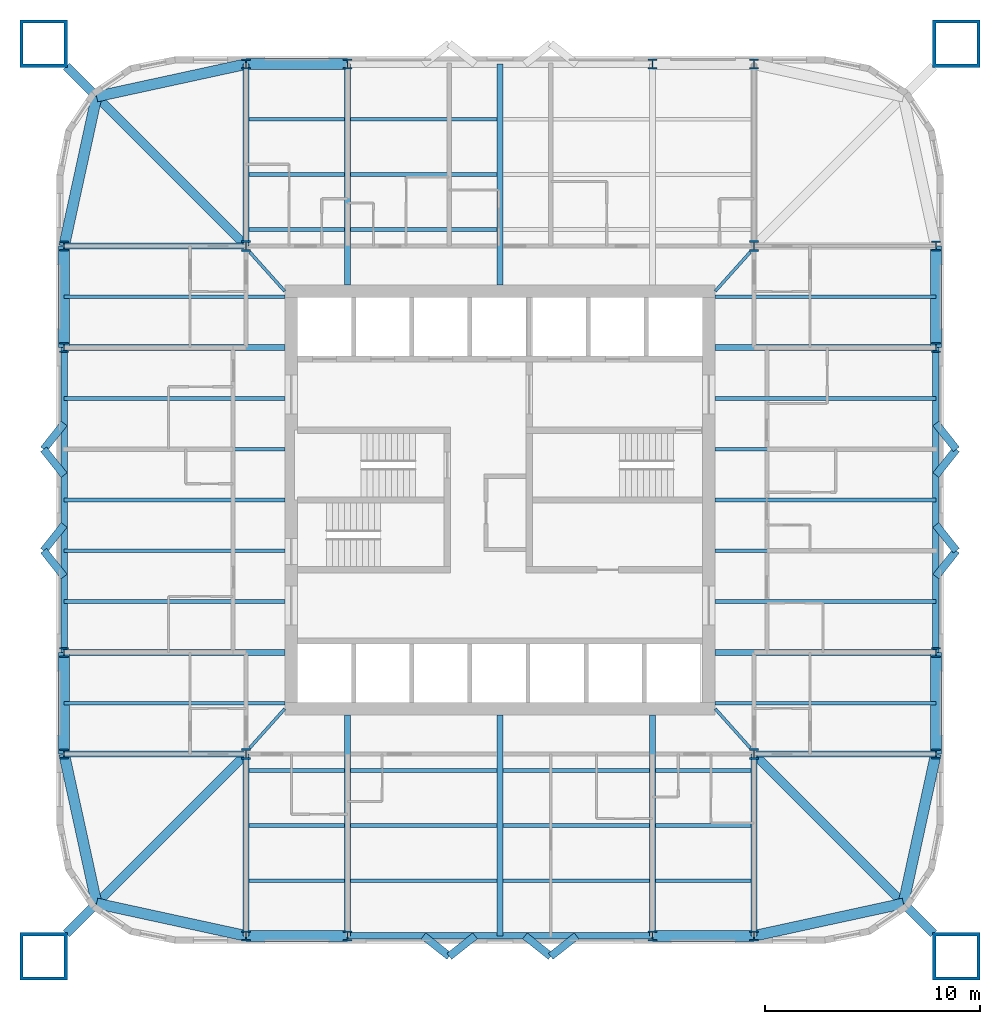
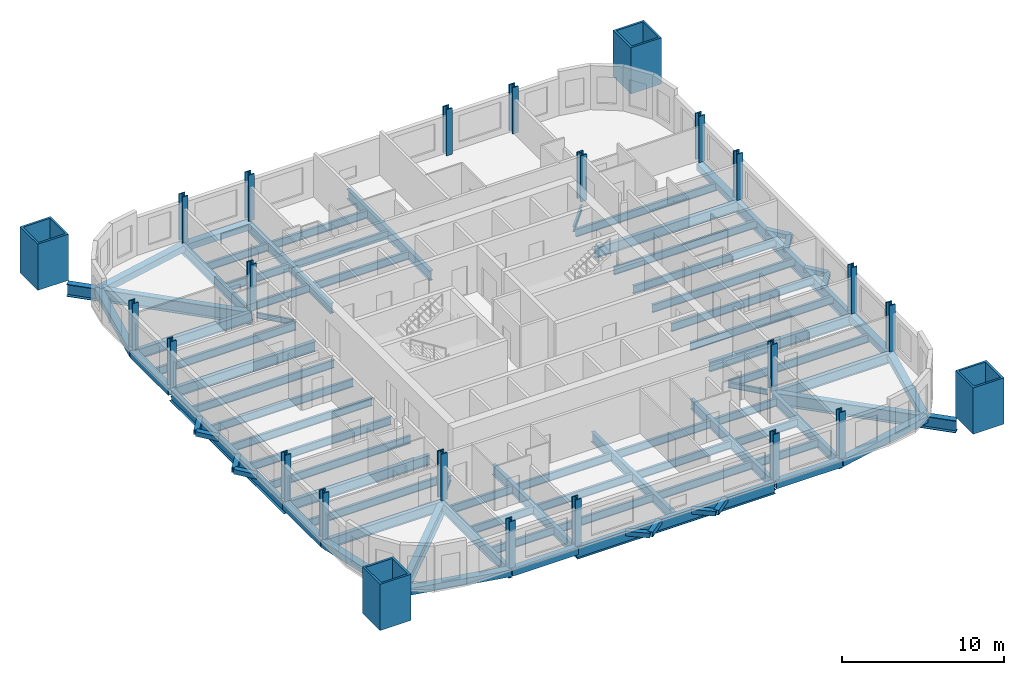
# One storey, part 1 of 9: 82 beams, 24 columns.
"""IFC4 building model written with IfcOpenShell, lengths in metres."""

from ifc_helpers import new_model, si_unit, direction, frame, origin, origin_2d, place, context, subcontext, project, spatial, hollow_rectangle, i_section, extrude, material, material_profile, profile_set, type_object, element, save


model = new_model("IFC4")

# Units and contexts
model_context = context("Model", 3, precision=1e-05, world=origin(), true_north=direction((0.0, 1.0)))
body_context = subcontext(model_context, "Body", "Model", "MODEL_VIEW")
ifc_project = project(units=[si_unit("LENGTHUNIT", "METRE"), si_unit("AREAUNIT", "SQUARE_METRE"), si_unit("VOLUMEUNIT", "CUBIC_METRE"), si_unit("PLANEANGLEUNIT", "RADIAN"), si_unit("MASSUNIT", "GRAM", prefix="KILO")], contexts=[model_context])

# Site, building, storey
site_placement = place(None, origin())
site = spatial("IfcSite", under=ifc_project, at=site_placement, CompositionType="ELEMENT")
building_placement = place(site_placement, origin())
building = spatial("IfcBuilding", under=site, at=building_placement, Name="Turquesa Mirador Hotel Tower", CompositionType="ELEMENT")
storey_placement = place(building_placement, frame((0.0, 0.0, 121.39990234375)))
storey = spatial("IfcBuildingStorey", under=building, at=storey_placement, Name="L32", CompositionType="ELEMENT", Elevation=121.39990234375)

# Columns
ifc_material_1 = material(Name="Steel ASTM A992 Grade 50", Category="steel")
ifc_material_profile_1 = material_profile(ifc_material_1, i_section(OverallWidth=0.421630859375, OverallDepth=0.46484375, WebThickness=0.044921875, FlangeThickness=0.072509765625, at=origin_2d()), Name="W14X398")
ifc_profile_set_1 = profile_set([ifc_material_profile_1], Name="Steel ASTM A992 Grade 50")
column_type_1 = type_object("IfcColumnType", Name="COLUMN W14X398", PredefinedType="COLUMN", material=ifc_profile_set_1)
for number, where, z_axis, x_axis, name in (
    (1, (34.75, 33.199951171875, 0.0), (0.0, 0.0, 1.0), (1.0, 0.0, 0.0), "COL-L32-P--20.25--11.80"),
    (2, (34.75, 37.919921875, 0.0), (0.0, 0.0, 1.0), (1.0, 0.0, 0.0), "COL-L32-P--20.25--7.08"),
    (3, (34.75, 52.080078125, 0.0), (0.0, 0.0, 1.0), (1.0, 0.0, 0.0), "COL-L32-P--20.25-+7.08"),
    (4, (34.75, 56.800048828125, 0.0), (0.0, 0.0, 1.0), (1.0, 0.0, 0.0), "COL-L32-P--20.25-+11.80"),
    (5, (43.199951171875, 24.75, 0.0), (0.0, 0.0, 1.0), (1.0, 0.0, 0.0), "COL-L32-P--11.80--20.25"),
    (6, (43.199951171875, 65.25, 0.0), (0.0, 0.0, 1.0), (1.0, 0.0, 0.0), "COL-L32-P--11.80-+20.25"),
    (7, (47.919921875, 24.75, 0.0), (0.0, 0.0, 1.0), (1.0, 0.0, 0.0), "COL-L32-P--7.08--20.25"),
    (8, (47.919921875, 65.25, 0.0), (0.0, 0.0, 1.0), (1.0, 0.0, 0.0), "COL-L32-P--7.08-+20.25"),
    (9, (62.080078125, 24.75, 0.0), (0.0, 0.0, 1.0), (1.0, 0.0, 0.0), "COL-L32-P-+7.08--20.25"),
    (10, (62.080078125, 65.25, 0.0), (0.0, 0.0, 1.0), (1.0, 0.0, 0.0), "COL-L32-P-+7.08-+20.25"),
    (11, (66.800048828125, 24.75, 0.0), (0.0, 0.0, 1.0), (1.0, 0.0, 0.0), "COL-L32-P-+11.80--20.25"),
    (12, (66.800048828125, 65.25, 0.0), (0.0, 0.0, 1.0), (1.0, 0.0, 0.0), "COL-L32-P-+11.80-+20.25"),
    (13, (75.25, 33.199951171875, 0.0), (0.0, 0.0, 1.0), (1.0, 0.0, 0.0), "COL-L32-P-+20.25--11.80"),
    (14, (75.25, 37.919921875, 0.0), (0.0, 0.0, 1.0), (1.0, 0.0, 0.0), "COL-L32-P-+20.25--7.08"),
    (15, (75.25, 52.080078125, 0.0), (0.0, 0.0, 1.0), (1.0, 0.0, 0.0), "COL-L32-P-+20.25-+7.08"),
    (16, (75.25, 56.800048828125, 0.0), (0.0, 0.0, 1.0), (1.0, 0.0, 0.0), "COL-L32-P-+20.25-+11.80"),
):
    element("IfcColumn", number, at=place(storey_placement, frame(where, z_axis=z_axis, x_axis=x_axis)), inside=storey, type_object=column_type_1, Name=name, PredefinedType="COLUMN", context=body_context, shape_type="SweptSolid", body=[
        extrude(i_section(OverallWidth=0.421630859375, OverallDepth=0.46484375, WebThickness=0.044921875, FlangeThickness=0.072509765625, at=origin_2d()), origin(), (0.0, 0.0, 1.0), 3.5),
    ])
ifc_material_2 = material(Name="Steel ASTM A992 Grade 50", Category="steel")
ifc_material_profile_2 = material_profile(ifc_material_2, i_section(OverallWidth=0.431884765625, OverallDepth=0.497802734375, WebThickness=0.0556640625, FlangeThickness=0.0888671875, at=origin_2d()), Name="W14X500")
ifc_profile_set_2 = profile_set([ifc_material_profile_2], Name="Steel ASTM A992 Grade 50")
column_type_2 = type_object("IfcColumnType", Name="COLUMN W14X500", PredefinedType="COLUMN", material=ifc_profile_set_2)
for number, where, z_axis, x_axis, name in (
    (17, (43.199951171875, 33.199951171875, 0.0), (0.0, 0.0, 1.0), (1.0, 0.0, 0.0), "COL-L32-K--11.80--11.80"),
    (18, (43.199951171875, 56.800048828125, 0.0), (0.0, 0.0, 1.0), (1.0, 0.0, 0.0), "COL-L32-K--11.80-+11.80"),
    (19, (66.800048828125, 33.199951171875, 0.0), (0.0, 0.0, 1.0), (1.0, 0.0, 0.0), "COL-L32-K-+11.80--11.80"),
    (20, (66.800048828125, 56.800048828125, 0.0), (0.0, 0.0, 1.0), (1.0, 0.0, 0.0), "COL-L32-K-+11.80-+11.80"),
):
    element("IfcColumn", number, at=place(storey_placement, frame(where, z_axis=z_axis, x_axis=x_axis)), inside=storey, type_object=column_type_2, Name=name, PredefinedType="COLUMN", context=body_context, shape_type="SweptSolid", body=[
        extrude(i_section(OverallWidth=0.431884765625, OverallDepth=0.497802734375, WebThickness=0.0556640625, FlangeThickness=0.0888671875, at=origin_2d()), origin(), (0.0, 0.0, 1.0), 3.5),
    ])
ifc_material_3 = material(Name="Steel ASTM A514 Grade Q", Category="steel")
ifc_material_profile_3 = material_profile(ifc_material_3, hollow_rectangle(XDim=2.199951171875, YDim=2.199951171875, WallThickness=0.14990234375, at=origin_2d()), Name="BOX2200X2200X150")
ifc_profile_set_3 = profile_set([ifc_material_profile_3], Name="Steel ASTM A514 Grade Q")
column_type_3 = type_object("IfcColumnType", Name="MEGA COLUMN BOX2200X2200X150", PredefinedType="COLUMN", material=ifc_profile_set_3)
for number, where, z_axis, x_axis, name in (
    (21, (76.199951171875, 66.199951171875, 0.0), (0.0, 0.0, 1.0), (1.0, 0.0, 0.0), "Mega column M1"),
    (22, (33.800048828125, 66.199951171875, 0.0), (0.0, 0.0, 1.0), (1.0, 0.0, 0.0), "Mega column M2"),
    (23, (33.800048828125, 23.800048828125, 0.0), (0.0, 0.0, 1.0), (1.0, 0.0, 0.0), "Mega column M3"),
    (24, (76.199951171875, 23.800048828125, 0.0), (0.0, 0.0, 1.0), (1.0, 0.0, 0.0), "Mega column M4"),
):
    element("IfcColumn", number, at=place(storey_placement, frame(where, z_axis=z_axis, x_axis=x_axis)), inside=storey, type_object=column_type_3, Name=name, PredefinedType="COLUMN", context=body_context, shape_type="SweptSolid", body=[
        extrude(hollow_rectangle(XDim=2.199951171875, YDim=2.199951171875, WallThickness=0.14990234375, at=origin_2d()), origin(), (0.0, 0.0, 1.0), 3.5),
    ])

# Beams
ifc_material_4 = material(Name="Steel ASTM A572 Grade 50", Category="steel")
ifc_material_profile_4 = material_profile(ifc_material_4, hollow_rectangle(XDim=0.5, YDim=0.5, WallThickness=0.01611328125, at=origin_2d()), Name="BOX500X500X16")
ifc_profile_set_4 = profile_set([ifc_material_profile_4], Name="Steel ASTM A572 Grade 50")
beam_type_1 = type_object("IfcBeamType", Name="BEAM BOX500X500X16", PredefinedType="BEAM", material=ifc_profile_set_4)
for number, where, z_axis, x_axis, name in (
    (25, (43.199951171875, 65.25, -0.419921875), (1.0, 0.0, 0.0), (0.0, 1.0, 0.0), "EB-L32-N-L"),
    (26, (43.199951171875, 24.75, -0.419921875), (1.0, 0.0, 0.0), (0.0, 1.0, 0.0), "EB-L32-S-L"),
    (27, (62.080078125, 24.75, -0.419921875), (1.0, 0.0, 0.0), (0.0, 1.0, 0.0), "EB-L32-S-R"),
    (28, (75.25, 33.199951171875, -0.419921875), (0.0, 1.0, 0.0), (-1.0, 0.0, 0.0), "EB-L32-E-L"),
    (29, (75.25, 52.080078125, -0.419921875), (0.0, 1.0, 0.0), (-1.0, 0.0, 0.0), "EB-L32-E-R"),
    (30, (34.75, 33.199951171875, -0.419921875), (0.0, 1.0, 0.0), (-1.0, 0.0, 0.0), "EB-L32-W-L"),
    (31, (34.75, 52.080078125, -0.419921875), (0.0, 1.0, 0.0), (-1.0, 0.0, 0.0), "EB-L32-W-R"),
):
    element("IfcBeam", number, at=place(storey_placement, frame(where, z_axis=z_axis, x_axis=x_axis)), inside=storey, type_object=beam_type_1, Name=name, PredefinedType="BEAM", context=body_context, shape_type="SweptSolid", body=[
        extrude(hollow_rectangle(XDim=0.5, YDim=0.5, WallThickness=0.01611328125, at=origin_2d()), origin(), (0.0, 0.0, 1.0), 4.719970703125),
    ])
for number, where, z_axis, x_axis, name in (
    (32, (34.75, 56.800048828125, -0.419921875), (0.212328336885, 0.977198381781, 0.0), (-0.977198381781, 0.212328336885, 0.0), "KE-L32-2-0"),
    (33, (36.25830078125, 63.74169921875, -0.419921875), (0.977198381781, 0.212328336885, 0.0), (-0.212328336885, 0.977198381781, 0.0), "KE-L32-2-1"),
    (34, (34.75, 33.199951171875, -0.419921875), (0.212328336885, -0.977198381781, 0.0), (0.977198381781, 0.212328336885, 0.0), "KE-L32-3-0"),
    (35, (36.25830078125, 26.25830078125, -0.419921875), (0.977198381781, -0.212328336885, 0.0), (0.212328336885, 0.977198381781, 0.0), "KE-L32-3-1"),
    (36, (75.25, 33.199951171875, -0.419921875), (-0.212328336885, -0.977198381781, 0.0), (0.977198381781, -0.212328336885, 0.0), "KE-L32-4-0"),
    (37, (73.74169921875, 26.25830078125, -0.419921875), (-0.977198381781, -0.212328336885, 0.0), (0.212328336885, -0.977198381781, 0.0), "KE-L32-4-1"),
):
    element("IfcBeam", number, at=place(storey_placement, frame(where, z_axis=z_axis, x_axis=x_axis)), inside=storey, type_object=beam_type_1, Name=name, PredefinedType="BEAM", context=body_context, shape_type="SweptSolid", body=[
        extrude(hollow_rectangle(XDim=0.5, YDim=0.5, WallThickness=0.01611328125, at=origin_2d()), origin(), (0.0, 0.0, 1.0), 7.103515625),
    ])
ifc_material_5 = material(Name="Steel ASTM A992 Grade 50", Category="steel")
ifc_material_profile_5 = material_profile(ifc_material_5, i_section(OverallWidth=0.140380859375, OverallDepth=0.40380859375, WebThickness=0.007080078125, FlangeThickness=0.01123046875, at=origin_2d()), Name="W16X31")
ifc_profile_set_5 = profile_set([ifc_material_profile_5], Name="Steel ASTM A992 Grade 50")
beam_type_2 = type_object("IfcBeamType", Name="BEAM W16X31", PredefinedType="BEAM", material=ifc_profile_set_5)
for number, where, z_axis, x_axis, name in (
    (38, (66.626953125, 56.518310546875, -0.371826171875), (-0.66679485947, -0.745241313525, 0.0), (0.745241313525, -0.66679485947, 0.0), "KT-L32-1"),
    (39, (43.373046875, 56.518310546875, -0.371826171875), (0.66679485947, -0.745241313525, 0.0), (0.745241313525, 0.66679485947, 0.0), "KT-L32-2"),
    (40, (43.373046875, 33.481689453125, -0.371826171875), (0.66679485947, 0.745241313525, 0.0), (-0.745241313525, 0.66679485947, 0.0), "KT-L32-3"),
    (41, (66.626953125, 33.481689453125, -0.371826171875), (-0.66679485947, 0.745241313525, 0.0), (-0.745241313525, -0.66679485947, 0.0), "KT-L32-4"),
):
    element("IfcBeam", number, at=place(storey_placement, frame(where, z_axis=z_axis, x_axis=x_axis)), inside=storey, type_object=beam_type_2, Name=name, PredefinedType="BEAM", context=body_context, shape_type="SweptSolid", body=[
        extrude(i_section(OverallWidth=0.140380859375, OverallDepth=0.40380859375, WebThickness=0.007080078125, FlangeThickness=0.01123046875, at=origin_2d()), origin(), (0.0, 0.0, 1.0), 2.43994140625),
    ])
ifc_material_6 = material(Name="Steel ASTM A992 Grade 50", Category="steel")
ifc_material_profile_6 = material_profile(ifc_material_6, i_section(OverallWidth=0.177978515625, OverallDepth=0.599365234375, WebThickness=0.010009765625, FlangeThickness=0.012939453125, at=origin_2d()), Name="W24X55")
ifc_profile_set_6 = profile_set([ifc_material_profile_6], Name="Steel ASTM A992 Grade 50")
beam_type_3 = type_object("IfcBeamType", Name="BEAM W24X55", PredefinedType="BEAM", material=ifc_profile_set_6)
beam_1_placement = place(storey_placement, frame((43.333251953125, 57.56201171875, -0.4697265625), z_axis=(1.0, 0.0, 0.0), x_axis=(0.0, 1.0, 0.0)))
element("IfcBeam", 42, at=beam_1_placement, inside=storey, type_object=beam_type_3, Name="IB-L32-N-1-0", PredefinedType="BEAM", context=body_context, shape_type="SweptSolid", body=[
    extrude(i_section(OverallWidth=0.177978515625, OverallDepth=0.599365234375, WebThickness=0.010009765625, FlangeThickness=0.012939453125, at=origin_2d()), origin(), (0.0, 0.0, 1.0), 4.453369140625),
])
beam_2_placement = place(storey_placement, frame((48.053466796875, 57.56201171875, -0.4697265625), z_axis=(1.0, 0.0, 0.0), x_axis=(0.0, 1.0, 0.0)))
element("IfcBeam", 43, at=beam_2_placement, inside=storey, type_object=beam_type_3, Name="IB-L32-N-1-1", PredefinedType="BEAM", context=body_context, shape_type="SweptSolid", body=[
    extrude(i_section(OverallWidth=0.177978515625, OverallDepth=0.599365234375, WebThickness=0.010009765625, FlangeThickness=0.012939453125, at=origin_2d()), origin(), (0.0, 0.0, 1.0), 6.813232421875),
])
beam_3_placement = place(storey_placement, frame((43.333251953125, 60.125, -0.4697265625), z_axis=(1.0, 0.0, 0.0), x_axis=(0.0, 1.0, 0.0)))
element("IfcBeam", 44, at=beam_3_placement, inside=storey, type_object=beam_type_3, Name="IB-L32-N-2-0", PredefinedType="BEAM", context=body_context, shape_type="SweptSolid", body=[
    extrude(i_section(OverallWidth=0.177978515625, OverallDepth=0.599365234375, WebThickness=0.010009765625, FlangeThickness=0.012939453125, at=origin_2d()), origin(), (0.0, 0.0, 1.0), 4.453369140625),
])
beam_4_placement = place(storey_placement, frame((48.053466796875, 60.125, -0.4697265625), z_axis=(1.0, 0.0, 0.0), x_axis=(0.0, 1.0, 0.0)))
element("IfcBeam", 45, at=beam_4_placement, inside=storey, type_object=beam_type_3, Name="IB-L32-N-2-1", PredefinedType="BEAM", context=body_context, shape_type="SweptSolid", body=[
    extrude(i_section(OverallWidth=0.177978515625, OverallDepth=0.599365234375, WebThickness=0.010009765625, FlangeThickness=0.012939453125, at=origin_2d()), origin(), (0.0, 0.0, 1.0), 6.813232421875),
])
beam_5_placement = place(storey_placement, frame((43.333251953125, 62.68798828125, -0.4697265625), z_axis=(1.0, 0.0, 0.0), x_axis=(0.0, 1.0, 0.0)))
element("IfcBeam", 46, at=beam_5_placement, inside=storey, type_object=beam_type_3, Name="IB-L32-N-3-0", PredefinedType="BEAM", context=body_context, shape_type="SweptSolid", body=[
    extrude(i_section(OverallWidth=0.177978515625, OverallDepth=0.599365234375, WebThickness=0.010009765625, FlangeThickness=0.012939453125, at=origin_2d()), origin(), (0.0, 0.0, 1.0), 4.453369140625),
])
beam_6_placement = place(storey_placement, frame((48.053466796875, 62.68798828125, -0.4697265625), z_axis=(1.0, 0.0, 0.0), x_axis=(0.0, 1.0, 0.0)))
element("IfcBeam", 47, at=beam_6_placement, inside=storey, type_object=beam_type_3, Name="IB-L32-N-3-1", PredefinedType="BEAM", context=body_context, shape_type="SweptSolid", body=[
    extrude(i_section(OverallWidth=0.177978515625, OverallDepth=0.599365234375, WebThickness=0.010009765625, FlangeThickness=0.012939453125, at=origin_2d()), origin(), (0.0, 0.0, 1.0), 6.813232421875),
])
beam_7_placement = place(storey_placement, frame((43.333251953125, 32.43798828125, -0.4697265625), z_axis=(1.0, 0.0, 0.0), x_axis=(0.0, 1.0, 0.0)))
element("IfcBeam", 48, at=beam_7_placement, inside=storey, type_object=beam_type_3, Name="IB-L32-S-1-0", PredefinedType="BEAM", context=body_context, shape_type="SweptSolid", body=[
    extrude(i_section(OverallWidth=0.177978515625, OverallDepth=0.599365234375, WebThickness=0.010009765625, FlangeThickness=0.012939453125, at=origin_2d()), origin(), (0.0, 0.0, 1.0), 4.453369140625),
])
for number, where, z_axis, x_axis, name in (
    (49, (48.053466796875, 32.43798828125, -0.4697265625), (1.0, 0.0, 0.0), (0.0, 1.0, 0.0), "IB-L32-S-1-1"),
    (50, (55.13330078125, 32.43798828125, -0.4697265625), (1.0, 0.0, 0.0), (0.0, 1.0, 0.0), "IB-L32-S-1-2"),
):
    element("IfcBeam", number, at=place(storey_placement, frame(where, z_axis=z_axis, x_axis=x_axis)), inside=storey, type_object=beam_type_3, Name=name, PredefinedType="BEAM", context=body_context, shape_type="SweptSolid", body=[
        extrude(i_section(OverallWidth=0.177978515625, OverallDepth=0.599365234375, WebThickness=0.010009765625, FlangeThickness=0.012939453125, at=origin_2d()), origin(), (0.0, 0.0, 1.0), 6.813232421875),
    ])
for number, where, z_axis, x_axis, name in (
    (51, (62.21337890625, 32.43798828125, -0.4697265625), (1.0, 0.0, 0.0), (0.0, 1.0, 0.0), "IB-L32-S-1-3"),
    (52, (43.333251953125, 29.875, -0.4697265625), (1.0, 0.0, 0.0), (0.0, 1.0, 0.0), "IB-L32-S-2-0"),
):
    element("IfcBeam", number, at=place(storey_placement, frame(where, z_axis=z_axis, x_axis=x_axis)), inside=storey, type_object=beam_type_3, Name=name, PredefinedType="BEAM", context=body_context, shape_type="SweptSolid", body=[
        extrude(i_section(OverallWidth=0.177978515625, OverallDepth=0.599365234375, WebThickness=0.010009765625, FlangeThickness=0.012939453125, at=origin_2d()), origin(), (0.0, 0.0, 1.0), 4.453369140625),
    ])
for number, where, z_axis, x_axis, name in (
    (53, (48.053466796875, 29.875, -0.4697265625), (1.0, 0.0, 0.0), (0.0, 1.0, 0.0), "IB-L32-S-2-1"),
    (54, (55.13330078125, 29.875, -0.4697265625), (1.0, 0.0, 0.0), (0.0, 1.0, 0.0), "IB-L32-S-2-2"),
):
    element("IfcBeam", number, at=place(storey_placement, frame(where, z_axis=z_axis, x_axis=x_axis)), inside=storey, type_object=beam_type_3, Name=name, PredefinedType="BEAM", context=body_context, shape_type="SweptSolid", body=[
        extrude(i_section(OverallWidth=0.177978515625, OverallDepth=0.599365234375, WebThickness=0.010009765625, FlangeThickness=0.012939453125, at=origin_2d()), origin(), (0.0, 0.0, 1.0), 6.813232421875),
    ])
for number, where, z_axis, x_axis, name in (
    (55, (62.21337890625, 29.875, -0.4697265625), (1.0, 0.0, 0.0), (0.0, 1.0, 0.0), "IB-L32-S-2-3"),
    (56, (43.333251953125, 27.31201171875, -0.4697265625), (1.0, 0.0, 0.0), (0.0, 1.0, 0.0), "IB-L32-S-3-0"),
):
    element("IfcBeam", number, at=place(storey_placement, frame(where, z_axis=z_axis, x_axis=x_axis)), inside=storey, type_object=beam_type_3, Name=name, PredefinedType="BEAM", context=body_context, shape_type="SweptSolid", body=[
        extrude(i_section(OverallWidth=0.177978515625, OverallDepth=0.599365234375, WebThickness=0.010009765625, FlangeThickness=0.012939453125, at=origin_2d()), origin(), (0.0, 0.0, 1.0), 4.453369140625),
    ])
for number, where, z_axis, x_axis, name in (
    (57, (48.053466796875, 27.31201171875, -0.4697265625), (1.0, 0.0, 0.0), (0.0, 1.0, 0.0), "IB-L32-S-3-1"),
    (58, (55.13330078125, 27.31201171875, -0.4697265625), (1.0, 0.0, 0.0), (0.0, 1.0, 0.0), "IB-L32-S-3-2"),
):
    element("IfcBeam", number, at=place(storey_placement, frame(where, z_axis=z_axis, x_axis=x_axis)), inside=storey, type_object=beam_type_3, Name=name, PredefinedType="BEAM", context=body_context, shape_type="SweptSolid", body=[
        extrude(i_section(OverallWidth=0.177978515625, OverallDepth=0.599365234375, WebThickness=0.010009765625, FlangeThickness=0.012939453125, at=origin_2d()), origin(), (0.0, 0.0, 1.0), 6.813232421875),
    ])
beam_8_placement = place(storey_placement, frame((62.21337890625, 27.31201171875, -0.4697265625), z_axis=(1.0, 0.0, 0.0), x_axis=(0.0, 1.0, 0.0)))
element("IfcBeam", 59, at=beam_8_placement, inside=storey, type_object=beam_type_3, Name="IB-L32-S-3-3", PredefinedType="BEAM", context=body_context, shape_type="SweptSolid", body=[
    extrude(i_section(OverallWidth=0.177978515625, OverallDepth=0.599365234375, WebThickness=0.010009765625, FlangeThickness=0.012939453125, at=origin_2d()), origin(), (0.0, 0.0, 1.0), 4.453369140625),
])
for number, where, z_axis, x_axis, name in (
    (60, (75.25, 35.56005859375, -0.4697265625), (-1.0, 0.0, 0.0), (0.0, -1.0, 0.0), "BM-L32-E--9.44"),
    (61, (75.25, 40.280029296875, -0.4697265625), (-1.0, 0.0, 0.0), (0.0, -1.0, 0.0), "BM-L32-E--4.72"),
    (62, (75.25, 42.639892578125, -0.4697265625), (-1.0, 0.0, 0.0), (0.0, -1.0, 0.0), "BM-L32-E--2.36"),
    (63, (75.25, 45.0, -0.4697265625), (-1.0, 0.0, 0.0), (0.0, -1.0, 0.0), "BM-L32-E-+0.00"),
    (64, (75.25, 47.360107421875, -0.4697265625), (-1.0, 0.0, 0.0), (0.0, -1.0, 0.0), "BM-L32-E-+2.36"),
    (65, (75.25, 49.719970703125, -0.4697265625), (-1.0, 0.0, 0.0), (0.0, -1.0, 0.0), "BM-L32-E-+4.72"),
    (66, (75.25, 54.43994140625, -0.4697265625), (-1.0, 0.0, 0.0), (0.0, -1.0, 0.0), "BM-L32-E-+9.44"),
    (67, (34.75, 35.56005859375, -0.4697265625), (1.0, 0.0, 0.0), (0.0, 1.0, 0.0), "BM-L32-W--9.44"),
    (68, (34.75, 40.280029296875, -0.4697265625), (1.0, 0.0, 0.0), (0.0, 1.0, 0.0), "BM-L32-W--4.72"),
    (69, (34.75, 42.639892578125, -0.4697265625), (1.0, 0.0, 0.0), (0.0, 1.0, 0.0), "BM-L32-W--2.36"),
    (70, (34.75, 45.0, -0.4697265625), (1.0, 0.0, 0.0), (0.0, 1.0, 0.0), "BM-L32-W-+0.00"),
    (71, (34.75, 47.360107421875, -0.4697265625), (1.0, 0.0, 0.0), (0.0, 1.0, 0.0), "BM-L32-W-+2.36"),
    (72, (34.75, 49.719970703125, -0.4697265625), (1.0, 0.0, 0.0), (0.0, 1.0, 0.0), "BM-L32-W-+4.72"),
    (73, (34.75, 54.43994140625, -0.4697265625), (1.0, 0.0, 0.0), (0.0, 1.0, 0.0), "BM-L32-W-+9.44"),
):
    element("IfcBeam", number, at=place(storey_placement, frame(where, z_axis=z_axis, x_axis=x_axis)), inside=storey, type_object=beam_type_3, Name=name, PredefinedType="BEAM", context=body_context, shape_type="SweptSolid", body=[
        extrude(i_section(OverallWidth=0.177978515625, OverallDepth=0.599365234375, WebThickness=0.010009765625, FlangeThickness=0.012939453125, at=origin_2d()), origin(), (0.0, 0.0, 1.0), 10.25),
    ])
ifc_material_7 = material(Name="Steel ASTM A992 Grade 50", Category="steel")
ifc_material_profile_7 = material_profile(ifc_material_7, i_section(OverallWidth=0.2666015625, OverallDepth=0.7568359375, WebThickness=0.013916015625, FlangeThickness=0.019287109375, at=origin_2d()), Name="W30X108")
ifc_profile_set_7 = profile_set([ifc_material_profile_7], Name="Steel ASTM A992 Grade 50")
beam_type_4 = type_object("IfcBeamType", Name="BEAM W30X108", PredefinedType="BEAM", material=ifc_profile_set_7)
for number, where, z_axis, x_axis, name in (
    (74, (47.919921875, 65.25, -0.54833984375), (0.0, -1.0, 0.0), (1.0, 0.0, 0.0), "GD-L32-N--7.08"),
    (75, (55.0, 65.25, -0.54833984375), (0.0, -1.0, 0.0), (1.0, 0.0, 0.0), "GD-L32-N-+0.00"),
):
    element("IfcBeam", number, at=place(storey_placement, frame(where, z_axis=z_axis, x_axis=x_axis)), inside=storey, type_object=beam_type_4, Name=name, PredefinedType="BEAM", context=body_context, shape_type="SweptSolid", body=[
        extrude(i_section(OverallWidth=0.2666015625, OverallDepth=0.7568359375, WebThickness=0.013916015625, FlangeThickness=0.019287109375, at=origin_2d()), origin(), (0.0, 0.0, 1.0), 10.25),
    ])
beam_9_placement = place(storey_placement, frame((43.199951171875, 65.25, -0.54833984375), z_axis=(0.0, -1.0, 0.0), x_axis=(1.0, 0.0, 0.0)))
element("IfcBeam", 76, at=beam_9_placement, inside=storey, type_object=beam_type_4, Name="GK-L32-N--11.80", PredefinedType="BEAM", context=body_context, shape_type="SweptSolid", body=[
    extrude(i_section(OverallWidth=0.2666015625, OverallDepth=0.7568359375, WebThickness=0.013916015625, FlangeThickness=0.019287109375, at=origin_2d()), origin(), (0.0, 0.0, 1.0), 8.449951171875),
])
for number, where, z_axis, x_axis, name in (
    (77, (47.919921875, 24.75, -0.54833984375), (0.0, 1.0, 0.0), (-1.0, 0.0, 0.0), "GD-L32-S--7.08"),
    (78, (62.080078125, 24.75, -0.54833984375), (0.0, 1.0, 0.0), (-1.0, 0.0, 0.0), "GD-L32-S-+7.08"),
    (79, (55.0, 24.75, -0.54833984375), (0.0, 1.0, 0.0), (-1.0, 0.0, 0.0), "GD-L32-S-+0.00"),
):
    element("IfcBeam", number, at=place(storey_placement, frame(where, z_axis=z_axis, x_axis=x_axis)), inside=storey, type_object=beam_type_4, Name=name, PredefinedType="BEAM", context=body_context, shape_type="SweptSolid", body=[
        extrude(i_section(OverallWidth=0.2666015625, OverallDepth=0.7568359375, WebThickness=0.013916015625, FlangeThickness=0.019287109375, at=origin_2d()), origin(), (0.0, 0.0, 1.0), 10.25),
    ])
for number, where, z_axis, x_axis, name in (
    (80, (43.199951171875, 24.75, -0.54833984375), (0.0, 1.0, 0.0), (-1.0, 0.0, 0.0), "GK-L32-S--11.80"),
    (81, (66.800048828125, 24.75, -0.54833984375), (0.0, 1.0, 0.0), (-1.0, 0.0, 0.0), "GK-L32-S-+11.80"),
):
    element("IfcBeam", number, at=place(storey_placement, frame(where, z_axis=z_axis, x_axis=x_axis)), inside=storey, type_object=beam_type_4, Name=name, PredefinedType="BEAM", context=body_context, shape_type="SweptSolid", body=[
        extrude(i_section(OverallWidth=0.2666015625, OverallDepth=0.7568359375, WebThickness=0.013916015625, FlangeThickness=0.019287109375, at=origin_2d()), origin(), (0.0, 0.0, 1.0), 8.449951171875),
    ])
for number, where, z_axis, x_axis, name in (
    (82, (75.25, 37.919921875, -0.54833984375), (-1.0, 0.0, 0.0), (0.0, -1.0, 0.0), "GD-L32-E--7.08"),
    (83, (75.25, 52.080078125, -0.54833984375), (-1.0, 0.0, 0.0), (0.0, -1.0, 0.0), "GD-L32-E-+7.08"),
):
    element("IfcBeam", number, at=place(storey_placement, frame(where, z_axis=z_axis, x_axis=x_axis)), inside=storey, type_object=beam_type_4, Name=name, PredefinedType="BEAM", context=body_context, shape_type="SweptSolid", body=[
        extrude(i_section(OverallWidth=0.2666015625, OverallDepth=0.7568359375, WebThickness=0.013916015625, FlangeThickness=0.019287109375, at=origin_2d()), origin(), (0.0, 0.0, 1.0), 10.25),
    ])
beam_10_placement = place(storey_placement, frame((75.25, 33.199951171875, -0.54833984375), z_axis=(-1.0, 0.0, 0.0), x_axis=(0.0, -1.0, 0.0)))
element("IfcBeam", 84, at=beam_10_placement, inside=storey, type_object=beam_type_4, Name="GK-L32-E--11.80", PredefinedType="BEAM", context=body_context, shape_type="SweptSolid", body=[
    extrude(i_section(OverallWidth=0.2666015625, OverallDepth=0.7568359375, WebThickness=0.013916015625, FlangeThickness=0.019287109375, at=origin_2d()), origin(), (0.0, 0.0, 1.0), 8.449951171875),
])
for number, where, z_axis, x_axis, name in (
    (85, (34.75, 37.919921875, -0.54833984375), (1.0, 0.0, 0.0), (0.0, 1.0, 0.0), "GD-L32-W--7.08"),
    (86, (34.75, 52.080078125, -0.54833984375), (1.0, 0.0, 0.0), (0.0, 1.0, 0.0), "GD-L32-W-+7.08"),
):
    element("IfcBeam", number, at=place(storey_placement, frame(where, z_axis=z_axis, x_axis=x_axis)), inside=storey, type_object=beam_type_4, Name=name, PredefinedType="BEAM", context=body_context, shape_type="SweptSolid", body=[
        extrude(i_section(OverallWidth=0.2666015625, OverallDepth=0.7568359375, WebThickness=0.013916015625, FlangeThickness=0.019287109375, at=origin_2d()), origin(), (0.0, 0.0, 1.0), 10.25),
    ])
for number, where, z_axis, x_axis, name in (
    (87, (34.75, 33.199951171875, -0.54833984375), (1.0, 0.0, 0.0), (0.0, 1.0, 0.0), "GK-L32-W--11.80"),
    (88, (34.75, 56.800048828125, -0.54833984375), (1.0, 0.0, 0.0), (0.0, 1.0, 0.0), "GK-L32-W-+11.80"),
):
    element("IfcBeam", number, at=place(storey_placement, frame(where, z_axis=z_axis, x_axis=x_axis)), inside=storey, type_object=beam_type_4, Name=name, PredefinedType="BEAM", context=body_context, shape_type="SweptSolid", body=[
        extrude(i_section(OverallWidth=0.2666015625, OverallDepth=0.7568359375, WebThickness=0.013916015625, FlangeThickness=0.019287109375, at=origin_2d()), origin(), (0.0, 0.0, 1.0), 8.449951171875),
    ])
ifc_material_8 = material(Name="Steel ASTM A992 Grade 50", Category="steel")
ifc_material_profile_8 = material_profile(ifc_material_8, i_section(OverallWidth=0.3046875, OverallDepth=0.911865234375, WebThickness=0.015869140625, FlangeThickness=0.02392578125, at=origin_2d()), Name="W36X150")
ifc_profile_set_8 = profile_set([ifc_material_profile_8], Name="Steel ASTM A992 Grade 50")
beam_type_5 = type_object("IfcBeamType", Name="BEAM W36X150", PredefinedType="BEAM", material=ifc_profile_set_8)
for number, where, z_axis, x_axis, name in (
    (89, (47.919921875, 24.75, -0.625732421875), (1.0, 0.0, 0.0), (0.0, 1.0, 0.0), "EB-L32-S-C"),
    (90, (75.25, 37.919921875, -0.625732421875), (0.0, 1.0, 0.0), (-1.0, 0.0, 0.0), "EB-L32-E-C"),
    (91, (34.75, 37.919921875, -0.625732421875), (0.0, 1.0, 0.0), (-1.0, 0.0, 0.0), "EB-L32-W-C"),
):
    element("IfcBeam", number, at=place(storey_placement, frame(where, z_axis=z_axis, x_axis=x_axis)), inside=storey, type_object=beam_type_5, Name=name, PredefinedType="BEAM", context=body_context, shape_type="SweptSolid", body=[
        extrude(i_section(OverallWidth=0.3046875, OverallDepth=0.911865234375, WebThickness=0.015869140625, FlangeThickness=0.02392578125, at=origin_2d()), origin(), (0.0, 0.0, 1.0), 14.16015625),
    ])
ifc_material_9 = material(Name="Steel ASTM A992 Grade 50", Category="steel")
ifc_material_profile_9 = material_profile(ifc_material_9, i_section(OverallWidth=0.419189453125, OverallDepth=0.927001953125, WebThickness=0.019287109375, FlangeThickness=0.031982421875, at=origin_2d()), Name="W36X231")
ifc_profile_set_9 = profile_set([ifc_material_profile_9], Name="Steel ASTM A992 Grade 50")
beam_type_6 = type_object("IfcBeamType", Name="BEAM W36X231", PredefinedType="BEAM", material=ifc_profile_set_9)
for number, where, z_axis, x_axis, name in (
    (92, (43.199951171875, 56.800048828125, -0.633544921875), (-0.707106781187, 0.707106781187, 0.0), (-0.707106781187, -0.707106781187, 0.0), "KD-L32-2"),
    (93, (43.199951171875, 33.199951171875, -0.633544921875), (-0.707106781187, -0.707106781187, 0.0), (0.707106781187, -0.707106781187, 0.0), "KD-L32-3"),
    (94, (66.800048828125, 33.199951171875, -0.633544921875), (0.707106781187, -0.707106781187, 0.0), (0.707106781187, 0.707106781187, 0.0), "KD-L32-4"),
):
    element("IfcBeam", number, at=place(storey_placement, frame(where, z_axis=z_axis, x_axis=x_axis)), inside=storey, type_object=beam_type_6, Name=name, PredefinedType="BEAM", context=body_context, shape_type="SweptSolid", body=[
        extrude(i_section(OverallWidth=0.419189453125, OverallDepth=0.927001953125, WebThickness=0.019287109375, FlangeThickness=0.031982421875, at=origin_2d()), origin(), (0.0, 0.0, 1.0), 11.80859375),
    ])
ifc_material_10 = material(Name="Steel ASTM A500 Grade C", Category="steel")
ifc_material_profile_10 = material_profile(ifc_material_10, hollow_rectangle(XDim=0.355712890625, YDim=0.355712890625, WallThickness=0.0146484375, at=origin_2d()), Name="HSS14X14X5/8")
ifc_profile_set_10 = profile_set([ifc_material_profile_10], Name="Steel ASTM A500 Grade C")
beam_type_7 = type_object("IfcBeamType", Name="BRACE STRUT HSS14X14X5/8", PredefinedType="BEAM", material=ifc_profile_set_10)
beam_11_placement = place(storey_placement, frame((52.64453125, 23.800048828125, -0.34765625), z_axis=(-0.784110506071, 0.620621232531, 0.0), x_axis=(-0.620621232531, -0.784110506071, 0.0)))
element("IfcBeam", 95, at=beam_11_placement, inside=storey, type_object=beam_type_7, Name="Brace strut", PredefinedType="BEAM", context=body_context, shape_type="SweptSolid", body=[
    extrude(hollow_rectangle(XDim=0.355712890625, YDim=0.355712890625, WallThickness=0.0146484375, at=origin_2d()), origin(), (0.0, 0.0, 1.0), 1.53076171875),
])
for number, where, z_axis, x_axis, name in (
    (96, (52.64453125, 23.800048828125, -0.34765625), (0.784049059149, 0.620698858423, 0.0), (-0.620698858423, 0.784049059149, 0.0), "Brace strut"),
    (97, (57.35546875, 23.800048828125, -0.34765625), (-0.784049059149, 0.620698858423, 0.0), (-0.620698858423, -0.784049059149, 0.0), "Brace strut"),
):
    element("IfcBeam", number, at=place(storey_placement, frame(where, z_axis=z_axis, x_axis=x_axis)), inside=storey, type_object=beam_type_7, Name=name, PredefinedType="BEAM", context=body_context, shape_type="SweptSolid", body=[
        extrude(hollow_rectangle(XDim=0.355712890625, YDim=0.355712890625, WallThickness=0.0146484375, at=origin_2d()), origin(), (0.0, 0.0, 1.0), 1.530517578125),
    ])
for number, where, z_axis, x_axis, name in (
    (98, (57.35546875, 23.800048828125, -0.34765625), (0.784110506071, 0.620621232531, 0.0), (-0.620621232531, 0.784110506071, 0.0), "Brace strut"),
    (99, (76.199951171875, 42.64453125, -0.34765625), (-0.620621232531, -0.784110506071, 0.0), (0.784110506071, -0.620621232531, 0.0), "Brace strut"),
):
    element("IfcBeam", number, at=place(storey_placement, frame(where, z_axis=z_axis, x_axis=x_axis)), inside=storey, type_object=beam_type_7, Name=name, PredefinedType="BEAM", context=body_context, shape_type="SweptSolid", body=[
        extrude(hollow_rectangle(XDim=0.355712890625, YDim=0.355712890625, WallThickness=0.0146484375, at=origin_2d()), origin(), (0.0, 0.0, 1.0), 1.53076171875),
    ])
for number, where, z_axis, x_axis, name in (
    (100, (76.199951171875, 42.64453125, -0.34765625), (-0.620698858423, 0.784049059149, 0.0), (-0.784049059149, -0.620698858423, 0.0), "Brace strut"),
    (101, (76.199951171875, 47.35546875, -0.34765625), (-0.620698858423, -0.784049059149, 0.0), (0.784049059149, -0.620698858423, 0.0), "Brace strut"),
):
    element("IfcBeam", number, at=place(storey_placement, frame(where, z_axis=z_axis, x_axis=x_axis)), inside=storey, type_object=beam_type_7, Name=name, PredefinedType="BEAM", context=body_context, shape_type="SweptSolid", body=[
        extrude(hollow_rectangle(XDim=0.355712890625, YDim=0.355712890625, WallThickness=0.0146484375, at=origin_2d()), origin(), (0.0, 0.0, 1.0), 1.530517578125),
    ])
for number, where, z_axis, x_axis, name in (
    (102, (76.199951171875, 47.35546875, -0.34765625), (-0.620621232531, 0.784110506071, 0.0), (-0.784110506071, -0.620621232531, 0.0), "Brace strut"),
    (103, (33.800048828125, 42.64453125, -0.34765625), (0.620621232531, -0.784110506071, 0.0), (0.784110506071, 0.620621232531, 0.0), "Brace strut"),
):
    element("IfcBeam", number, at=place(storey_placement, frame(where, z_axis=z_axis, x_axis=x_axis)), inside=storey, type_object=beam_type_7, Name=name, PredefinedType="BEAM", context=body_context, shape_type="SweptSolid", body=[
        extrude(hollow_rectangle(XDim=0.355712890625, YDim=0.355712890625, WallThickness=0.0146484375, at=origin_2d()), origin(), (0.0, 0.0, 1.0), 1.53076171875),
    ])
for number, where, z_axis, x_axis, name in (
    (104, (33.800048828125, 42.64453125, -0.34765625), (0.620698858423, 0.784049059149, 0.0), (-0.784049059149, 0.620698858423, 0.0), "Brace strut"),
    (105, (33.800048828125, 47.35546875, -0.34765625), (0.620698858423, -0.784049059149, 0.0), (0.784049059149, 0.620698858423, 0.0), "Brace strut"),
):
    element("IfcBeam", number, at=place(storey_placement, frame(where, z_axis=z_axis, x_axis=x_axis)), inside=storey, type_object=beam_type_7, Name=name, PredefinedType="BEAM", context=body_context, shape_type="SweptSolid", body=[
        extrude(hollow_rectangle(XDim=0.355712890625, YDim=0.355712890625, WallThickness=0.0146484375, at=origin_2d()), origin(), (0.0, 0.0, 1.0), 1.530517578125),
    ])
beam_12_placement = place(storey_placement, frame((33.800048828125, 47.35546875, -0.34765625), z_axis=(0.620621232531, 0.784110506071, 0.0), x_axis=(-0.784110506071, 0.620621232531, 0.0)))
element("IfcBeam", 106, at=beam_12_placement, inside=storey, type_object=beam_type_7, Name="Brace strut", PredefinedType="BEAM", context=body_context, shape_type="SweptSolid", body=[
    extrude(hollow_rectangle(XDim=0.355712890625, YDim=0.355712890625, WallThickness=0.0146484375, at=origin_2d()), origin(), (0.0, 0.0, 1.0), 1.53076171875),
])

save(model, "model.ifc")
